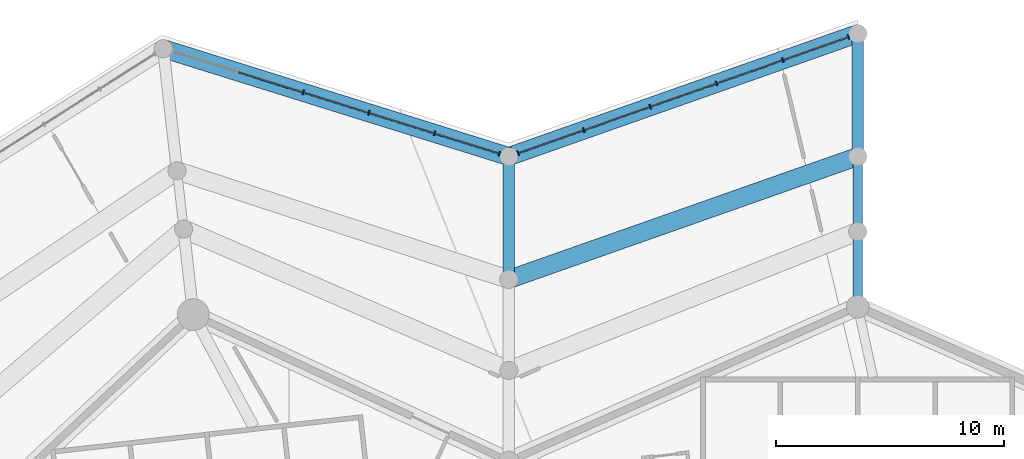
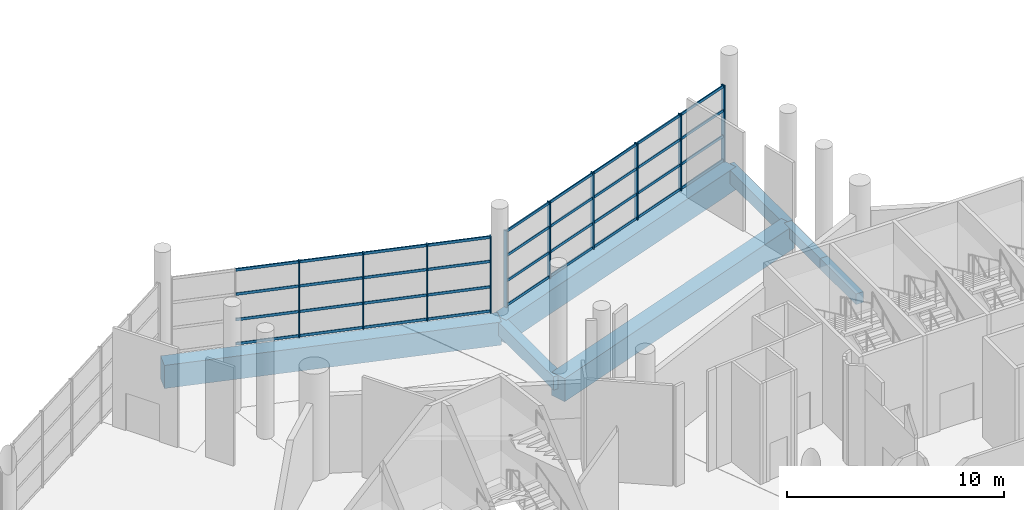
# One storey, part 73 of 249: 46 members, 7 beams, 2 elements without a shape of their own.
"""IFC4 building model written with IfcOpenShell, lengths in metres."""

from ifc_helpers import new_model, si_unit, direction, frame, origin, origin_2d, place, context, subcontext, project, spatial, rectangle, extrude, material, layer, layer_set, material_profile, profile_set, type_object, element, aggregate, save


model = new_model("IFC4")

# Units and contexts
model_context = context("Model", 3, precision=1e-05, world=origin(), true_north=direction((0.0, 1.0)))
body_context = subcontext(model_context, "Body", "Model", "MODEL_VIEW")
ifc_project = project(units=[si_unit("LENGTHUNIT", "METRE"), si_unit("AREAUNIT", "SQUARE_METRE"), si_unit("VOLUMEUNIT", "CUBIC_METRE"), si_unit("PLANEANGLEUNIT", "RADIAN"), si_unit("MASSUNIT", "GRAM", prefix="KILO")], contexts=[model_context])

# Site, building, storey
site_placement = place(None, origin())
site = spatial("IfcSite", under=ifc_project, at=site_placement, CompositionType="ELEMENT")
building_placement = place(site_placement, origin())
building = spatial("IfcBuilding", under=site, at=building_placement, Name="Meseta Stadium", CompositionType="ELEMENT")
storey_placement = place(building_placement, frame((0.0, 0.0, 12.0)))
storey = spatial("IfcBuildingStorey", under=building, at=storey_placement, Name="L02", CompositionType="ELEMENT", Elevation=12.0)

# Beams
ifc_material_1 = material(Name="Concrete C40/50", Category="concrete")
ifc_material_profile_1 = material_profile(ifc_material_1, rectangle(XDim=0.39990234375, YDim=0.60009765625, at=origin_2d()), Name="RC 400x600")
ifc_profile_set_1 = profile_set([ifc_material_profile_1], Name="Concrete C40/50")
beam_type_1 = type_object("IfcBeamType", Name="RC beam 400x600", PredefinedType="BEAM", material=ifc_profile_set_1)
for number, where, z_axis, x_axis, name in (
    (1, (-23.0, 105.39990234375, -0.64990234375), (0.0, 1.0, 0.0), (-1.0, 0.0, 0.0), "L02 radial beam frame 20 line R to M"),
    (2, (-23.0, 108.699951171875, -0.64990234375), (0.0, 1.0, 0.0), (-1.0, 0.0, 0.0), "L02 radial beam frame 20 line M to Q"),
):
    element("IfcBeam", number, at=place(storey_placement, frame(where, z_axis=z_axis, x_axis=x_axis)), inside=storey, type_object=beam_type_1, Name=name, PredefinedType="BEAM", context=body_context, shape_type="SweptSolid", body=[
        extrude(rectangle(XDim=0.39990234375, YDim=0.60009765625, at=origin_2d()), origin(), (0.0, 0.0, 1.0), 3.300048828125),
    ])
ifc_material_2 = material(Name="Concrete C40/50", Category="concrete")
ifc_material_profile_2 = material_profile(ifc_material_2, rectangle(XDim=0.5, YDim=0.75, at=origin_2d()), Name="RC 500x750")
ifc_profile_set_2 = profile_set([ifc_material_profile_2], Name="Concrete C40/50")
beam_type_2 = type_object("IfcBeamType", Name="RC beam 500x750", PredefinedType="BEAM", material=ifc_profile_set_2)
for number, where, z_axis, x_axis, name in (
    (3, (-23.0, 112.0, -0.72509765625), (0.0, 1.0, 0.0), (-1.0, 0.0, 0.0), "L02 radial beam frame 20 line Q to O"),
    (4, (-38.333251953125, 106.60009765625, -0.72509765625), (0.0, 1.0, 0.0), (-1.0, 0.0, 0.0), "L02 radial beam frame 21 line Q to O"),
):
    element("IfcBeam", number, at=place(storey_placement, frame(where, z_axis=z_axis, x_axis=x_axis)), inside=storey, type_object=beam_type_2, Name=name, PredefinedType="BEAM", context=body_context, shape_type="SweptSolid", body=[
        extrude(rectangle(XDim=0.5, YDim=0.75, at=origin_2d()), origin(), (0.0, 0.0, 1.0), 5.39990234375),
    ])
ifc_material_3 = material(Name="Concrete C40/50", Category="concrete")
ifc_material_profile_3 = material_profile(ifc_material_3, rectangle(XDim=0.800048828125, YDim=1.300048828125, at=origin_2d()), Name="RC 800x1300")
ifc_profile_set_3 = profile_set([ifc_material_profile_3], Name="Concrete C40/50")
beam_type_3 = type_object("IfcBeamType", Name="RC beam 800x1300", PredefinedType="BEAM", material=ifc_profile_set_3)
for number, where, z_axis, x_axis, name in (
    (5, (-23.0, 112.0, -1.0), (-0.943218573019, -0.332172731439, 0.0), (0.332172731439, -0.943218573019, 0.0), "L02 ring beam frame 20 line Q"),
    (6, (-23.0, 117.39990234375, -1.0), (-0.943218573019, -0.332172731439, 0.0), (0.332172731439, -0.943218573019, 0.0), "L02 ring beam frame 20 line O"),
):
    element("IfcBeam", number, at=place(storey_placement, frame(where, z_axis=z_axis, x_axis=x_axis)), inside=storey, type_object=beam_type_3, Name=name, PredefinedType="BEAM", context=body_context, shape_type="SweptSolid", body=[
        extrude(rectangle(XDim=0.800048828125, YDim=1.300048828125, at=origin_2d()), origin(), (0.0, 0.0, 1.0), 16.25634765625),
    ])
beam_placement = place(storey_placement, frame((-38.333251953125, 112.0, -1.0), z_axis=(-0.954612869987, 0.297849405667, 0.0), x_axis=(-0.297849405667, -0.954612869987, 0.0)))
element("IfcBeam", 7, at=beam_placement, inside=storey, type_object=beam_type_3, Name="L02 ring beam frame 21 line O", PredefinedType="BEAM", context=body_context, shape_type="SweptSolid", body=[
    extrude(rectangle(XDim=0.800048828125, YDim=1.300048828125, at=origin_2d()), origin(), (0.0, 0.0, 1.0), 15.908203125),
])

# Curtain wall, members
ifc_material_4 = material(Name="Aluminium", Category="aluminium")
ifc_layer = layer(ifc_material_4, 0.199951171875)
ifc_layer_set = layer_set([ifc_layer], Name="Ring shopfront curtain wall")
curtain_wall_type = type_object("IfcCurtainWallType", Name="Ring shopfront curtain wall", PredefinedType="NOTDEFINED", material=ifc_layer_set)
curtain_wall_1_placement = place(storey_placement, origin())
curtain_wall_1 = element("IfcCurtainWall", 8, at=curtain_wall_1_placement, inside=storey, type_object=curtain_wall_type, Name="Ring glazing L02 F20", PredefinedType="NOTDEFINED")
ifc_material_5 = material(Name="Aluminium", Category="aluminium")
ifc_material_profile_4 = material_profile(ifc_material_5, rectangle(XDim=0.199951171875, YDim=0.06005859375, at=origin_2d()), Name="CW 200x60")
ifc_profile_set_4 = profile_set([ifc_material_profile_4], Name="Aluminium")
member_type_1 = type_object("IfcMemberType", Name="Ring CW mullion 60x200", PredefinedType="MULLION", material=ifc_profile_set_4)
member_1_placement = place(storey_placement, frame((-23.405517578125, 117.257080078125, 0.0), z_axis=(0.0, 0.0, 1.0), x_axis=(0.332174330154, -0.943218009999, 0.0)))
member_1 = element("IfcMember", 9, at=member_1_placement, type_object=member_type_1, Name="CWR1 mullion 1", PredefinedType="MULLION", context=body_context, shape_type="SweptSolid", body=[
    extrude(rectangle(XDim=0.199951171875, YDim=0.06005859375, at=origin_2d()), origin(), (0.0, 0.0, 1.0), 4.300048828125),
])
member_2_placement = place(storey_placement, frame((-26.29296875, 116.240234375, 0.0), z_axis=(0.0, 0.0, 1.0), x_axis=(0.332174330154, -0.943218009999, 0.0)))
member_2 = element("IfcMember", 10, at=member_2_placement, type_object=member_type_1, Name="CWR1 mullion 2", PredefinedType="MULLION", context=body_context, shape_type="SweptSolid", body=[
    extrude(rectangle(XDim=0.199951171875, YDim=0.06005859375, at=origin_2d()), origin(), (0.0, 0.0, 1.0), 4.300048828125),
])
member_3_placement = place(storey_placement, frame((-29.208740234375, 115.21337890625, 0.0), z_axis=(0.0, 0.0, 1.0), x_axis=(0.332174330154, -0.943218009999, 0.0)))
member_3 = element("IfcMember", 11, at=member_3_placement, type_object=member_type_1, Name="CWR1 mullion 3", PredefinedType="MULLION", context=body_context, shape_type="SweptSolid", body=[
    extrude(rectangle(XDim=0.199951171875, YDim=0.06005859375, at=origin_2d()), origin(), (0.0, 0.0, 1.0), 4.300048828125),
])
member_4_placement = place(storey_placement, frame((-32.12451171875, 114.1865234375, 0.0), z_axis=(0.0, 0.0, 1.0), x_axis=(0.332174330154, -0.943218009999, 0.0)))
member_4 = element("IfcMember", 12, at=member_4_placement, type_object=member_type_1, Name="CWR1 mullion 4", PredefinedType="MULLION", context=body_context, shape_type="SweptSolid", body=[
    extrude(rectangle(XDim=0.199951171875, YDim=0.06005859375, at=origin_2d()), origin(), (0.0, 0.0, 1.0), 4.300048828125),
])
member_5_placement = place(storey_placement, frame((-35.040283203125, 113.15966796875, 0.0), z_axis=(0.0, 0.0, 1.0), x_axis=(0.332174330154, -0.943218009999, 0.0)))
member_5 = element("IfcMember", 13, at=member_5_placement, type_object=member_type_1, Name="CWR1 mullion 5", PredefinedType="MULLION", context=body_context, shape_type="SweptSolid", body=[
    extrude(rectangle(XDim=0.199951171875, YDim=0.06005859375, at=origin_2d()), origin(), (0.0, 0.0, 1.0), 4.300048828125),
])
member_6_placement = place(storey_placement, frame((-37.927734375, 112.142822265625, 0.0), z_axis=(0.0, 0.0, 1.0), x_axis=(0.332174330154, -0.943218009999, 0.0)))
member_6 = element("IfcMember", 14, at=member_6_placement, type_object=member_type_1, Name="CWR1 mullion 6", PredefinedType="MULLION", context=body_context, shape_type="SweptSolid", body=[
    extrude(rectangle(XDim=0.199951171875, YDim=0.06005859375, at=origin_2d()), origin(), (0.0, 0.0, 1.0), 4.300048828125),
])

curtain_wall_2_placement = place(storey_placement, origin())
curtain_wall_2 = element("IfcCurtainWall", 15, at=curtain_wall_2_placement, inside=storey, type_object=curtain_wall_type, Name="Ring glazing L02 F21", PredefinedType="NOTDEFINED")
member_7_placement = place(storey_placement, frame((-38.743896484375, 112.1279296875, 0.0), z_axis=(0.0, 0.0, 1.0), x_axis=(-0.297861157885, -0.95460920309, 0.0)))
member_7 = element("IfcMember", 16, at=member_7_placement, type_object=member_type_1, Name="CWR1 mullion 1", PredefinedType="MULLION", context=body_context, shape_type="SweptSolid", body=[
    extrude(rectangle(XDim=0.199951171875, YDim=0.06005859375, at=origin_2d()), origin(), (0.0, 0.0, 1.0), 4.300048828125),
])
member_8_placement = place(storey_placement, frame((-41.599609375, 113.01904296875, 0.0), z_axis=(0.0, 0.0, 1.0), x_axis=(-0.297861157885, -0.95460920309, 0.0)))
member_8 = element("IfcMember", 17, at=member_8_placement, type_object=member_type_1, Name="CWR1 mullion 2", PredefinedType="MULLION", context=body_context, shape_type="SweptSolid", body=[
    extrude(rectangle(XDim=0.199951171875, YDim=0.06005859375, at=origin_2d()), origin(), (0.0, 0.0, 1.0), 4.300048828125),
])
member_9_placement = place(storey_placement, frame((-44.484130859375, 113.919189453125, 0.0), z_axis=(0.0, 0.0, 1.0), x_axis=(-0.297861157885, -0.95460920309, 0.0)))
member_9 = element("IfcMember", 18, at=member_9_placement, type_object=member_type_1, Name="CWR1 mullion 3", PredefinedType="MULLION", context=body_context, shape_type="SweptSolid", body=[
    extrude(rectangle(XDim=0.199951171875, YDim=0.06005859375, at=origin_2d()), origin(), (0.0, 0.0, 1.0), 4.300048828125),
])
member_10_placement = place(storey_placement, frame((-47.36865234375, 114.8193359375, 0.0), z_axis=(0.0, 0.0, 1.0), x_axis=(-0.297861157885, -0.95460920309, 0.0)))
member_10 = element("IfcMember", 19, at=member_10_placement, type_object=member_type_1, Name="CWR1 mullion 4", PredefinedType="MULLION", context=body_context, shape_type="SweptSolid", body=[
    extrude(rectangle(XDim=0.199951171875, YDim=0.06005859375, at=origin_2d()), origin(), (0.0, 0.0, 1.0), 4.300048828125),
])

# Member
ifc_material_6 = material(Name="Aluminium", Category="aluminium")
ifc_material_profile_5 = material_profile(ifc_material_6, rectangle(XDim=0.06005859375, YDim=0.14990234375, at=origin_2d()), Name="CW 60x150")
ifc_profile_set_5 = profile_set([ifc_material_profile_5], Name="Aluminium")
member_type_2 = type_object("IfcMemberType", Name="Ring CW transom 60x150", PredefinedType="USERDEFINED", material=ifc_profile_set_5)
member_11_placement = place(storey_placement, frame((-23.433837890625, 117.2470703125, 0.074951171875), z_axis=(-0.943228878245, -0.332143467863, 0.0), x_axis=(0.332143467863, -0.943228878245, 0.0)))
member_11 = element("IfcMember", 20, at=member_11_placement, type_object=member_type_2, Name="CWR1 transom 1.1", ObjectType="TRANSOM", PredefinedType="USERDEFINED", context=body_context, shape_type="SweptSolid", body=[
    extrude(rectangle(XDim=0.06005859375, YDim=0.14990234375, at=origin_2d()), origin(), (0.0, 0.0, 1.0), 3.001220703125),
])

member_12_placement = place(storey_placement, frame((-23.433837890625, 117.2470703125, 1.433349609375), z_axis=(-0.943228878245, -0.332143467863, 0.0), x_axis=(0.332143467863, -0.943228878245, 0.0)))
member_12 = element("IfcMember", 21, at=member_12_placement, type_object=member_type_2, Name="CWR1 transom 1.2", ObjectType="TRANSOM", PredefinedType="USERDEFINED", context=body_context, shape_type="SweptSolid", body=[
    extrude(rectangle(XDim=0.06005859375, YDim=0.14990234375, at=origin_2d()), origin(), (0.0, 0.0, 1.0), 3.001220703125),
])

member_13_placement = place(storey_placement, frame((-23.433837890625, 117.2470703125, 2.86669921875), z_axis=(-0.943228878245, -0.332143467863, 0.0), x_axis=(0.332143467863, -0.943228878245, 0.0)))
member_13 = element("IfcMember", 22, at=member_13_placement, type_object=member_type_2, Name="CWR1 transom 1.3", ObjectType="TRANSOM", PredefinedType="USERDEFINED", context=body_context, shape_type="SweptSolid", body=[
    extrude(rectangle(XDim=0.06005859375, YDim=0.14990234375, at=origin_2d()), origin(), (0.0, 0.0, 1.0), 3.001220703125),
])

member_14_placement = place(storey_placement, frame((-23.433837890625, 117.2470703125, 4.22509765625), z_axis=(-0.943228878245, -0.332143467863, 0.0), x_axis=(0.332143467863, -0.943228878245, 0.0)))
member_14 = element("IfcMember", 23, at=member_14_placement, type_object=member_type_2, Name="CWR1 transom 1.4", ObjectType="TRANSOM", PredefinedType="USERDEFINED", context=body_context, shape_type="SweptSolid", body=[
    extrude(rectangle(XDim=0.06005859375, YDim=0.14990234375, at=origin_2d()), origin(), (0.0, 0.0, 1.0), 3.001220703125),
])

member_15_placement = place(storey_placement, frame((-26.3212890625, 116.230224609375, 0.074951171875), z_axis=(-0.943225032885, -0.332154387808, 0.0), x_axis=(0.332154387808, -0.943225032885, 0.0)))
member_15 = element("IfcMember", 24, at=member_15_placement, type_object=member_type_2, Name="CWR1 transom 2.1", ObjectType="TRANSOM", PredefinedType="USERDEFINED", context=body_context, shape_type="SweptSolid", body=[
    extrude(rectangle(XDim=0.06005859375, YDim=0.14990234375, at=origin_2d()), origin(), (0.0, 0.0, 1.0), 3.03125),
])

member_16_placement = place(storey_placement, frame((-26.3212890625, 116.230224609375, 1.433349609375), z_axis=(-0.943225032885, -0.332154387808, 0.0), x_axis=(0.332154387808, -0.943225032885, 0.0)))
member_16 = element("IfcMember", 25, at=member_16_placement, type_object=member_type_2, Name="CWR1 transom 2.2", ObjectType="TRANSOM", PredefinedType="USERDEFINED", context=body_context, shape_type="SweptSolid", body=[
    extrude(rectangle(XDim=0.06005859375, YDim=0.14990234375, at=origin_2d()), origin(), (0.0, 0.0, 1.0), 3.03125),
])

member_17_placement = place(storey_placement, frame((-26.3212890625, 116.230224609375, 2.86669921875), z_axis=(-0.943225032885, -0.332154387808, 0.0), x_axis=(0.332154387808, -0.943225032885, 0.0)))
member_17 = element("IfcMember", 26, at=member_17_placement, type_object=member_type_2, Name="CWR1 transom 2.3", ObjectType="TRANSOM", PredefinedType="USERDEFINED", context=body_context, shape_type="SweptSolid", body=[
    extrude(rectangle(XDim=0.06005859375, YDim=0.14990234375, at=origin_2d()), origin(), (0.0, 0.0, 1.0), 3.03125),
])

member_18_placement = place(storey_placement, frame((-26.3212890625, 116.230224609375, 4.22509765625), z_axis=(-0.943225032885, -0.332154387808, 0.0), x_axis=(0.332154387808, -0.943225032885, 0.0)))
member_18 = element("IfcMember", 27, at=member_18_placement, type_object=member_type_2, Name="CWR1 transom 2.4", ObjectType="TRANSOM", PredefinedType="USERDEFINED", context=body_context, shape_type="SweptSolid", body=[
    extrude(rectangle(XDim=0.06005859375, YDim=0.14990234375, at=origin_2d()), origin(), (0.0, 0.0, 1.0), 3.03125),
])

member_19_placement = place(storey_placement, frame((-29.237060546875, 115.203369140625, 0.074951171875), z_axis=(-0.943225032885, -0.332154387808, 0.0), x_axis=(0.332154387808, -0.943225032885, 0.0)))
member_19 = element("IfcMember", 28, at=member_19_placement, type_object=member_type_2, Name="CWR1 transom 3.1", ObjectType="TRANSOM", PredefinedType="USERDEFINED", context=body_context, shape_type="SweptSolid", body=[
    extrude(rectangle(XDim=0.06005859375, YDim=0.14990234375, at=origin_2d()), origin(), (0.0, 0.0, 1.0), 3.03125),
])

member_20_placement = place(storey_placement, frame((-29.237060546875, 115.203369140625, 1.433349609375), z_axis=(-0.943225032885, -0.332154387808, 0.0), x_axis=(0.332154387808, -0.943225032885, 0.0)))
member_20 = element("IfcMember", 29, at=member_20_placement, type_object=member_type_2, Name="CWR1 transom 3.2", ObjectType="TRANSOM", PredefinedType="USERDEFINED", context=body_context, shape_type="SweptSolid", body=[
    extrude(rectangle(XDim=0.06005859375, YDim=0.14990234375, at=origin_2d()), origin(), (0.0, 0.0, 1.0), 3.03125),
])

member_21_placement = place(storey_placement, frame((-29.237060546875, 115.203369140625, 2.86669921875), z_axis=(-0.943225032885, -0.332154387808, 0.0), x_axis=(0.332154387808, -0.943225032885, 0.0)))
member_21 = element("IfcMember", 30, at=member_21_placement, type_object=member_type_2, Name="CWR1 transom 3.3", ObjectType="TRANSOM", PredefinedType="USERDEFINED", context=body_context, shape_type="SweptSolid", body=[
    extrude(rectangle(XDim=0.06005859375, YDim=0.14990234375, at=origin_2d()), origin(), (0.0, 0.0, 1.0), 3.03125),
])

member_22_placement = place(storey_placement, frame((-29.237060546875, 115.203369140625, 4.22509765625), z_axis=(-0.943225032885, -0.332154387808, 0.0), x_axis=(0.332154387808, -0.943225032885, 0.0)))
member_22 = element("IfcMember", 31, at=member_22_placement, type_object=member_type_2, Name="CWR1 transom 3.4", ObjectType="TRANSOM", PredefinedType="USERDEFINED", context=body_context, shape_type="SweptSolid", body=[
    extrude(rectangle(XDim=0.06005859375, YDim=0.14990234375, at=origin_2d()), origin(), (0.0, 0.0, 1.0), 3.03125),
])

member_23_placement = place(storey_placement, frame((-32.15283203125, 114.176513671875, 0.074951171875), z_axis=(-0.943225032885, -0.332154387808, 0.0), x_axis=(0.332154387808, -0.943225032885, 0.0)))
member_23 = element("IfcMember", 32, at=member_23_placement, type_object=member_type_2, Name="CWR1 transom 4.1", ObjectType="TRANSOM", PredefinedType="USERDEFINED", context=body_context, shape_type="SweptSolid", body=[
    extrude(rectangle(XDim=0.06005859375, YDim=0.14990234375, at=origin_2d()), origin(), (0.0, 0.0, 1.0), 3.03125),
])

member_24_placement = place(storey_placement, frame((-32.15283203125, 114.176513671875, 1.433349609375), z_axis=(-0.943225032885, -0.332154387808, 0.0), x_axis=(0.332154387808, -0.943225032885, 0.0)))
member_24 = element("IfcMember", 33, at=member_24_placement, type_object=member_type_2, Name="CWR1 transom 4.2", ObjectType="TRANSOM", PredefinedType="USERDEFINED", context=body_context, shape_type="SweptSolid", body=[
    extrude(rectangle(XDim=0.06005859375, YDim=0.14990234375, at=origin_2d()), origin(), (0.0, 0.0, 1.0), 3.03125),
])

member_25_placement = place(storey_placement, frame((-32.15283203125, 114.176513671875, 2.86669921875), z_axis=(-0.943225032885, -0.332154387808, 0.0), x_axis=(0.332154387808, -0.943225032885, 0.0)))
member_25 = element("IfcMember", 34, at=member_25_placement, type_object=member_type_2, Name="CWR1 transom 4.3", ObjectType="TRANSOM", PredefinedType="USERDEFINED", context=body_context, shape_type="SweptSolid", body=[
    extrude(rectangle(XDim=0.06005859375, YDim=0.14990234375, at=origin_2d()), origin(), (0.0, 0.0, 1.0), 3.03125),
])

member_26_placement = place(storey_placement, frame((-32.15283203125, 114.176513671875, 4.22509765625), z_axis=(-0.943225032885, -0.332154387808, 0.0), x_axis=(0.332154387808, -0.943225032885, 0.0)))
member_26 = element("IfcMember", 35, at=member_26_placement, type_object=member_type_2, Name="CWR1 transom 4.4", ObjectType="TRANSOM", PredefinedType="USERDEFINED", context=body_context, shape_type="SweptSolid", body=[
    extrude(rectangle(XDim=0.06005859375, YDim=0.14990234375, at=origin_2d()), origin(), (0.0, 0.0, 1.0), 3.03125),
])

member_27_placement = place(storey_placement, frame((-35.068603515625, 113.149658203125, 0.074951171875), z_axis=(-0.943228878245, -0.332143467863, 0.0), x_axis=(0.332143467863, -0.943228878245, 0.0)))
member_27 = element("IfcMember", 36, at=member_27_placement, type_object=member_type_2, Name="CWR1 transom 5.1", ObjectType="TRANSOM", PredefinedType="USERDEFINED", context=body_context, shape_type="SweptSolid", body=[
    extrude(rectangle(XDim=0.06005859375, YDim=0.14990234375, at=origin_2d()), origin(), (0.0, 0.0, 1.0), 3.001220703125),
])

member_28_placement = place(storey_placement, frame((-35.068603515625, 113.149658203125, 1.433349609375), z_axis=(-0.943228878245, -0.332143467863, 0.0), x_axis=(0.332143467863, -0.943228878245, 0.0)))
member_28 = element("IfcMember", 37, at=member_28_placement, type_object=member_type_2, Name="CWR1 transom 5.2", ObjectType="TRANSOM", PredefinedType="USERDEFINED", context=body_context, shape_type="SweptSolid", body=[
    extrude(rectangle(XDim=0.06005859375, YDim=0.14990234375, at=origin_2d()), origin(), (0.0, 0.0, 1.0), 3.001220703125),
])

member_29_placement = place(storey_placement, frame((-35.068603515625, 113.149658203125, 2.86669921875), z_axis=(-0.943228878245, -0.332143467863, 0.0), x_axis=(0.332143467863, -0.943228878245, 0.0)))
member_29 = element("IfcMember", 38, at=member_29_placement, type_object=member_type_2, Name="CWR1 transom 5.3", ObjectType="TRANSOM", PredefinedType="USERDEFINED", context=body_context, shape_type="SweptSolid", body=[
    extrude(rectangle(XDim=0.06005859375, YDim=0.14990234375, at=origin_2d()), origin(), (0.0, 0.0, 1.0), 3.001220703125),
])

member_30_placement = place(storey_placement, frame((-35.068603515625, 113.149658203125, 4.22509765625), z_axis=(-0.943228878245, -0.332143467863, 0.0), x_axis=(0.332143467863, -0.943228878245, 0.0)))
member_30 = element("IfcMember", 39, at=member_30_placement, type_object=member_type_2, Name="CWR1 transom 5.4", ObjectType="TRANSOM", PredefinedType="USERDEFINED", context=body_context, shape_type="SweptSolid", body=[
    extrude(rectangle(XDim=0.06005859375, YDim=0.14990234375, at=origin_2d()), origin(), (0.0, 0.0, 1.0), 3.001220703125),
])

aggregate(curtain_wall_1, [member_1, member_2, member_3, member_4, member_5, member_6, member_11, member_12, member_13, member_14, member_15, member_16, member_17, member_18, member_19, member_20, member_21, member_22, member_23, member_24, member_25, member_26, member_27, member_28, member_29, member_30])

member_31_placement = place(storey_placement, frame((-38.7724609375, 112.136962890625, 0.074951171875), z_axis=(-0.954602885883, 0.297881403019, 0.0), x_axis=(-0.297881403019, -0.954602885883, 0.0)))
member_31 = element("IfcMember", 40, at=member_31_placement, type_object=member_type_2, Name="CWR1 transom 1.1", ObjectType="TRANSOM", PredefinedType="USERDEFINED", context=body_context, shape_type="SweptSolid", body=[
    extrude(rectangle(XDim=0.06005859375, YDim=0.14990234375, at=origin_2d()), origin(), (0.0, 0.0, 1.0), 2.931640625),
])

member_32_placement = place(storey_placement, frame((-38.7724609375, 112.136962890625, 1.433349609375), z_axis=(-0.954602885883, 0.297881403019, 0.0), x_axis=(-0.297881403019, -0.954602885883, 0.0)))
member_32 = element("IfcMember", 41, at=member_32_placement, type_object=member_type_2, Name="CWR1 transom 1.2", ObjectType="TRANSOM", PredefinedType="USERDEFINED", context=body_context, shape_type="SweptSolid", body=[
    extrude(rectangle(XDim=0.06005859375, YDim=0.14990234375, at=origin_2d()), origin(), (0.0, 0.0, 1.0), 2.931640625),
])

member_33_placement = place(storey_placement, frame((-38.7724609375, 112.136962890625, 2.86669921875), z_axis=(-0.954602885883, 0.297881403019, 0.0), x_axis=(-0.297881403019, -0.954602885883, 0.0)))
member_33 = element("IfcMember", 42, at=member_33_placement, type_object=member_type_2, Name="CWR1 transom 1.3", ObjectType="TRANSOM", PredefinedType="USERDEFINED", context=body_context, shape_type="SweptSolid", body=[
    extrude(rectangle(XDim=0.06005859375, YDim=0.14990234375, at=origin_2d()), origin(), (0.0, 0.0, 1.0), 2.931640625),
])

member_34_placement = place(storey_placement, frame((-38.7724609375, 112.136962890625, 4.22509765625), z_axis=(-0.954602885883, 0.297881403019, 0.0), x_axis=(-0.297881403019, -0.954602885883, 0.0)))
member_34 = element("IfcMember", 43, at=member_34_placement, type_object=member_type_2, Name="CWR1 transom 1.4", ObjectType="TRANSOM", PredefinedType="USERDEFINED", context=body_context, shape_type="SweptSolid", body=[
    extrude(rectangle(XDim=0.06005859375, YDim=0.14990234375, at=origin_2d()), origin(), (0.0, 0.0, 1.0), 2.931640625),
])

member_35_placement = place(storey_placement, frame((-41.62841796875, 113.028076171875, 0.074951171875), z_axis=(-0.954614829799, 0.297843124358, 0.0), x_axis=(-0.297843124358, -0.954614829799, 0.0)))
member_35 = element("IfcMember", 44, at=member_35_placement, type_object=member_type_2, Name="CWR1 transom 2.1", ObjectType="TRANSOM", PredefinedType="USERDEFINED", context=body_context, shape_type="SweptSolid", body=[
    extrude(rectangle(XDim=0.06005859375, YDim=0.14990234375, at=origin_2d()), origin(), (0.0, 0.0, 1.0), 2.961669921875),
])

member_36_placement = place(storey_placement, frame((-41.62841796875, 113.028076171875, 1.433349609375), z_axis=(-0.954614829799, 0.297843124358, 0.0), x_axis=(-0.297843124358, -0.954614829799, 0.0)))
member_36 = element("IfcMember", 45, at=member_36_placement, type_object=member_type_2, Name="CWR1 transom 2.2", ObjectType="TRANSOM", PredefinedType="USERDEFINED", context=body_context, shape_type="SweptSolid", body=[
    extrude(rectangle(XDim=0.06005859375, YDim=0.14990234375, at=origin_2d()), origin(), (0.0, 0.0, 1.0), 2.961669921875),
])

member_37_placement = place(storey_placement, frame((-41.62841796875, 113.028076171875, 2.86669921875), z_axis=(-0.954614829799, 0.297843124358, 0.0), x_axis=(-0.297843124358, -0.954614829799, 0.0)))
member_37 = element("IfcMember", 46, at=member_37_placement, type_object=member_type_2, Name="CWR1 transom 2.3", ObjectType="TRANSOM", PredefinedType="USERDEFINED", context=body_context, shape_type="SweptSolid", body=[
    extrude(rectangle(XDim=0.06005859375, YDim=0.14990234375, at=origin_2d()), origin(), (0.0, 0.0, 1.0), 2.961669921875),
])

member_38_placement = place(storey_placement, frame((-41.62841796875, 113.028076171875, 4.22509765625), z_axis=(-0.954614829799, 0.297843124358, 0.0), x_axis=(-0.297843124358, -0.954614829799, 0.0)))
member_38 = element("IfcMember", 47, at=member_38_placement, type_object=member_type_2, Name="CWR1 transom 2.4", ObjectType="TRANSOM", PredefinedType="USERDEFINED", context=body_context, shape_type="SweptSolid", body=[
    extrude(rectangle(XDim=0.06005859375, YDim=0.14990234375, at=origin_2d()), origin(), (0.0, 0.0, 1.0), 2.961669921875),
])

member_39_placement = place(storey_placement, frame((-44.512939453125, 113.92822265625, 0.074951171875), z_axis=(-0.954614829799, 0.297843124358, 0.0), x_axis=(-0.297843124358, -0.954614829799, 0.0)))
member_39 = element("IfcMember", 48, at=member_39_placement, type_object=member_type_2, Name="CWR1 transom 3.1", ObjectType="TRANSOM", PredefinedType="USERDEFINED", context=body_context, shape_type="SweptSolid", body=[
    extrude(rectangle(XDim=0.06005859375, YDim=0.14990234375, at=origin_2d()), origin(), (0.0, 0.0, 1.0), 2.961669921875),
])

member_40_placement = place(storey_placement, frame((-44.512939453125, 113.92822265625, 1.433349609375), z_axis=(-0.954614829799, 0.297843124358, 0.0), x_axis=(-0.297843124358, -0.954614829799, 0.0)))
member_40 = element("IfcMember", 49, at=member_40_placement, type_object=member_type_2, Name="CWR1 transom 3.2", ObjectType="TRANSOM", PredefinedType="USERDEFINED", context=body_context, shape_type="SweptSolid", body=[
    extrude(rectangle(XDim=0.06005859375, YDim=0.14990234375, at=origin_2d()), origin(), (0.0, 0.0, 1.0), 2.961669921875),
])

member_41_placement = place(storey_placement, frame((-44.512939453125, 113.92822265625, 2.86669921875), z_axis=(-0.954614829799, 0.297843124358, 0.0), x_axis=(-0.297843124358, -0.954614829799, 0.0)))
member_41 = element("IfcMember", 50, at=member_41_placement, type_object=member_type_2, Name="CWR1 transom 3.3", ObjectType="TRANSOM", PredefinedType="USERDEFINED", context=body_context, shape_type="SweptSolid", body=[
    extrude(rectangle(XDim=0.06005859375, YDim=0.14990234375, at=origin_2d()), origin(), (0.0, 0.0, 1.0), 2.961669921875),
])

member_42_placement = place(storey_placement, frame((-44.512939453125, 113.92822265625, 4.22509765625), z_axis=(-0.954614829799, 0.297843124358, 0.0), x_axis=(-0.297843124358, -0.954614829799, 0.0)))
member_42 = element("IfcMember", 51, at=member_42_placement, type_object=member_type_2, Name="CWR1 transom 3.4", ObjectType="TRANSOM", PredefinedType="USERDEFINED", context=body_context, shape_type="SweptSolid", body=[
    extrude(rectangle(XDim=0.06005859375, YDim=0.14990234375, at=origin_2d()), origin(), (0.0, 0.0, 1.0), 2.961669921875),
])

member_43_placement = place(storey_placement, frame((-47.3974609375, 114.828125, 0.074951171875), z_axis=(-0.954614829799, 0.297843124358, 0.0), x_axis=(-0.297843124358, -0.954614829799, 0.0)))
member_43 = element("IfcMember", 52, at=member_43_placement, type_object=member_type_2, Name="CWR1 transom 4.1", ObjectType="TRANSOM", PredefinedType="USERDEFINED", context=body_context, shape_type="SweptSolid", body=[
    extrude(rectangle(XDim=0.06005859375, YDim=0.14990234375, at=origin_2d()), origin(), (0.0, 0.0, 1.0), 2.961669921875),
])

member_44_placement = place(storey_placement, frame((-47.3974609375, 114.828125, 1.433349609375), z_axis=(-0.954614829799, 0.297843124358, 0.0), x_axis=(-0.297843124358, -0.954614829799, 0.0)))
member_44 = element("IfcMember", 53, at=member_44_placement, type_object=member_type_2, Name="CWR1 transom 4.2", ObjectType="TRANSOM", PredefinedType="USERDEFINED", context=body_context, shape_type="SweptSolid", body=[
    extrude(rectangle(XDim=0.06005859375, YDim=0.14990234375, at=origin_2d()), origin(), (0.0, 0.0, 1.0), 2.961669921875),
])

member_45_placement = place(storey_placement, frame((-47.3974609375, 114.828125, 2.86669921875), z_axis=(-0.954614829799, 0.297843124358, 0.0), x_axis=(-0.297843124358, -0.954614829799, 0.0)))
member_45 = element("IfcMember", 54, at=member_45_placement, type_object=member_type_2, Name="CWR1 transom 4.3", ObjectType="TRANSOM", PredefinedType="USERDEFINED", context=body_context, shape_type="SweptSolid", body=[
    extrude(rectangle(XDim=0.06005859375, YDim=0.14990234375, at=origin_2d()), origin(), (0.0, 0.0, 1.0), 2.961669921875),
])

member_46_placement = place(storey_placement, frame((-47.3974609375, 114.828125, 4.22509765625), z_axis=(-0.954614829799, 0.297843124358, 0.0), x_axis=(-0.297843124358, -0.954614829799, 0.0)))
member_46 = element("IfcMember", 55, at=member_46_placement, type_object=member_type_2, Name="CWR1 transom 4.4", ObjectType="TRANSOM", PredefinedType="USERDEFINED", context=body_context, shape_type="SweptSolid", body=[
    extrude(rectangle(XDim=0.06005859375, YDim=0.14990234375, at=origin_2d()), origin(), (0.0, 0.0, 1.0), 2.961669921875),
])

aggregate(curtain_wall_2, [member_7, member_8, member_9, member_10, member_31, member_32, member_33, member_34, member_35, member_36, member_37, member_38, member_39, member_40, member_41, member_42, member_43, member_44, member_45, member_46])

save(model, "model.ifc")
